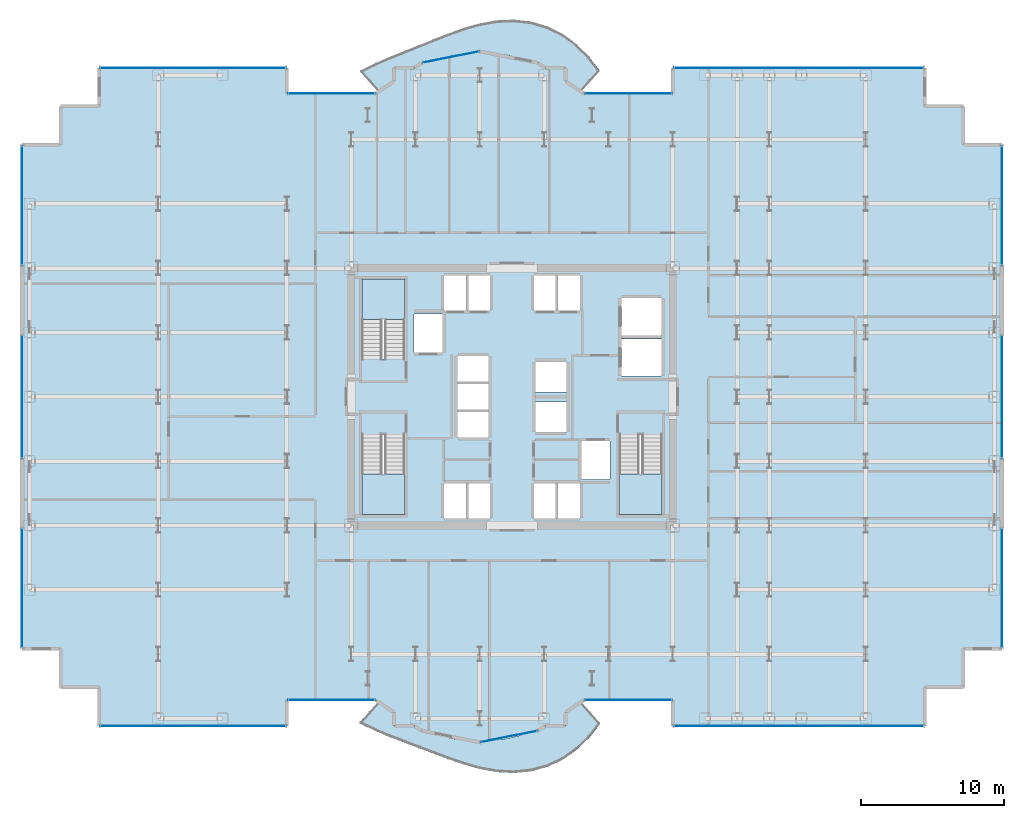
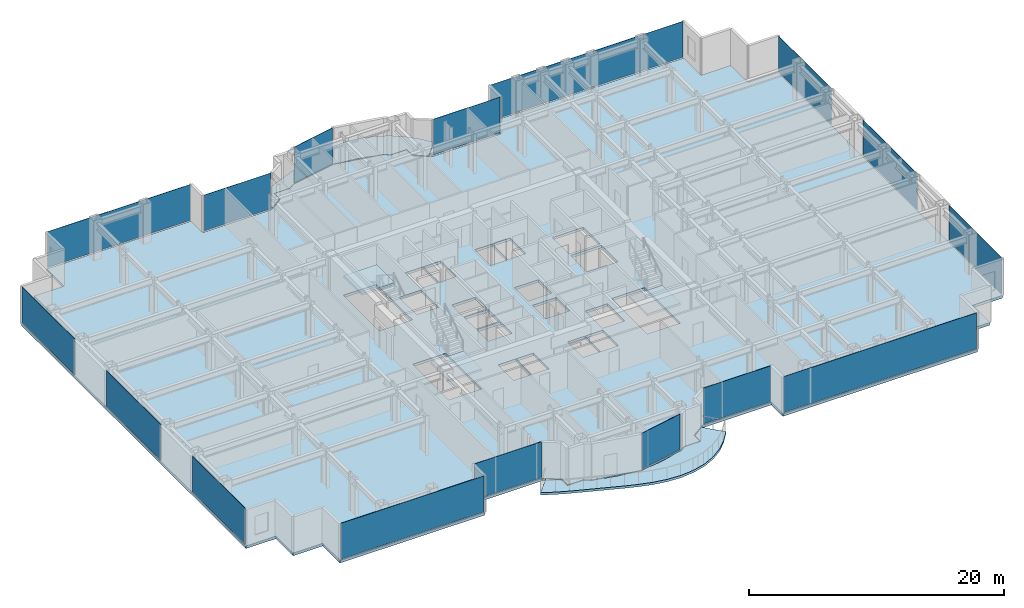
# One storey, part 20 of 29: 16 plates, 6 slabs, 19 elements without a shape of their own.
"""IFC4 building model written with IfcOpenShell, lengths in metres."""

import ifcopenshell
import ifcopenshell.guid

model = None  # the IFC model being written
_history = None  # IfcOwnerHistory: only IFC2X3 demands one
_inside = {}  # id of a spatial element -> (the spatial element, [elements in it])
_under = {}  # id of a project, library or spatial element -> (it, [spatial elements below it])
_declared = {}  # id of a project -> (the project, [libraries it declares])
_typed = {}  # id of a type object -> (the type object, [elements of that type])
_made_of = {}  # id of a material, layer set ... -> (it, [elements and type objects made of it])


def new_model(schema):
    """Start an empty IFC model of exactly this schema.

    Asked for "IFC4X3", IfcOpenShell would pick the latest addendum, in which some entities
    have other attributes; the version numbers below select the first issue.
    IFC2X3 requires an IfcOwnerHistory on every rooted entity: one is made here for all.
    """
    global model, _history
    if schema == "IFC4X3":
        model = ifcopenshell.file(schema_version=(4, 3, 0, 0))
    else:
        model = ifcopenshell.file(schema=schema)
    _inside.clear()
    _under.clear()
    _declared.clear()
    _typed.clear()
    _made_of.clear()
    _history = None
    if model.schema == "IFC2X3":
        org = make("IfcOrganization", Name="unknown")
        user = make(
            "IfcPersonAndOrganization",
            ThePerson=make("IfcPerson", FamilyName="unknown"),
            TheOrganization=org,
        )
        app = make(
            "IfcApplication",
            ApplicationDeveloper=org,
            Version="unknown",
            ApplicationFullName="unknown",
            ApplicationIdentifier="unknown",
        )
        _history = make(
            "IfcOwnerHistory",
            OwningUser=user,
            OwningApplication=app,
            ChangeAction="ADDED",
            CreationDate=0,
        )
    return model


def make(cls, **values):
    """One entity of the class cls with the attributes given. An attribute that is None is left unset."""
    return model.create_entity(
        cls, **{name: value for name, value in values.items() if value is not None}
    )


def rooted(cls, **values):
    """An entity with a GlobalId (a new one), such as an element, a storey or a relation."""
    return make(cls, GlobalId=ifcopenshell.guid.new(), OwnerHistory=_history, **values)


def si_unit(unit_type, name, prefix=None):
    """IfcSIUnit, for example si_unit("LENGTHUNIT", "METRE", prefix="MILLI")."""
    return make("IfcSIUnit", UnitType=unit_type, Prefix=prefix, Name=name)


def assignment(units):
    """IfcUnitAssignment: the units of a project."""
    return None if units is None else make("IfcUnitAssignment", Units=units)


def point(xyz):
    """IfcCartesianPoint."""
    return None if xyz is None else make("IfcCartesianPoint", Coordinates=xyz)


def direction(xyz):
    """IfcDirection."""
    return None if xyz is None else make("IfcDirection", DirectionRatios=xyz)


def frame(location, z_axis=None, x_axis=None):
    """IfcAxis2Placement3D, a coordinate frame: its origin and axes. An axis left out is left unset."""
    return make(
        "IfcAxis2Placement3D",
        Location=point(location),
        Axis=direction(z_axis),
        RefDirection=direction(x_axis),
    )


def frame_2d(location, x_axis=None):
    """IfcAxis2Placement2D, a coordinate frame in the plane: its origin and x axis."""
    return make(
        "IfcAxis2Placement2D", Location=point(location), RefDirection=direction(x_axis)
    )


def origin():
    """The frame at (0, 0, 0) with its axes left unset."""
    return frame((0.0, 0.0, 0.0))


def origin_2d():
    """The frame at (0, 0) in the plane with its x axis left unset."""
    return frame_2d((0.0, 0.0))


def place(relative_to, where):
    """IfcLocalPlacement: puts the frame where relative to a parent placement (None: the world)."""
    return make(
        "IfcLocalPlacement", PlacementRelTo=relative_to, RelativePlacement=where
    )


def context(
    kind, dimensions, precision=None, world=None, true_north=None, identifier=None
):
    """IfcGeometricRepresentationContext, for example the 3D "Model" context."""
    return make(
        "IfcGeometricRepresentationContext",
        ContextIdentifier=identifier,
        ContextType=kind,
        CoordinateSpaceDimension=dimensions,
        Precision=precision,
        WorldCoordinateSystem=world,
        TrueNorth=true_north,
    )


def subcontext(parent, identifier, kind, view, scale=None):
    """IfcGeometricRepresentationSubContext, for example "Body" below "Model"."""
    return make(
        "IfcGeometricRepresentationSubContext",
        ContextIdentifier=identifier,
        ContextType=kind,
        ParentContext=parent,
        TargetScale=scale,
        TargetView=view,
    )


def project(units=None, contexts=None):
    """IfcProject with its units and contexts."""
    return rooted(
        "IfcProject",
        Name="project",
        RepresentationContexts=contexts,
        UnitsInContext=assignment(units),
    )


def spatial(cls, under=None, at=None, **own):
    """A site, building, storey or space (cls), placed at a placement, below another one or the project."""
    s = rooted(cls, ObjectPlacement=at, **own)
    if under is not None:
        _under.setdefault(under.id(), (under, []))[1].append(s)
    return s


def polyline(points):
    """IfcPolyline through the points."""
    return make("IfcPolyline", Points=[point(p) for p in points])


def profile(cls, at=None, kind="AREA", **sizes):
    """A parametric profile (cls). Its sizes go by their IFC names, for example OverallWidth=200.0."""
    return make(cls, ProfileType=kind, Position=at, **sizes)


def rectangle(**sizes):
    """IfcRectangleProfileDef."""
    return profile("IfcRectangleProfileDef", **sizes)


def outline(outer, holes=None, kind="AREA"):
    """IfcArbitraryClosedProfileDef: a profile drawn as a closed curve; with holes, ...WithVoids."""
    if holes is None:
        return make("IfcArbitraryClosedProfileDef", ProfileType=kind, OuterCurve=outer)
    return make(
        "IfcArbitraryProfileDefWithVoids",
        ProfileType=kind,
        OuterCurve=outer,
        InnerCurves=holes,
    )


def extrude(swept, where, along, depth):
    """IfcExtrudedAreaSolid: the profile swept, set in the frame where, extruded along a direction by depth."""
    return make(
        "IfcExtrudedAreaSolid",
        SweptArea=swept,
        Position=where,
        ExtrudedDirection=direction(along),
        Depth=depth,
    )


def shape(context_of_items, identifier, shape_type, items):
    """IfcShapeRepresentation: the items that make up one representation, for example the "Body"."""
    return make(
        "IfcShapeRepresentation",
        ContextOfItems=context_of_items,
        RepresentationIdentifier=identifier,
        RepresentationType=shape_type,
        Items=items,
    )


def source(mapping_origin, context_of_items, identifier, shape_type, items):
    """IfcRepresentationMap: a shape defined once, which mapped items show again and again."""
    return make(
        "IfcRepresentationMap",
        MappingOrigin=mapping_origin,
        MappedRepresentation=shape(context_of_items, identifier, shape_type, items),
    )


def transform(
    local_origin,
    x_axis=None,
    y_axis=None,
    z_axis=None,
    scale=None,
    scale2=None,
    scale3=None,
    uniform=True,
):
    """IfcCartesianTransformationOperator3D, or its non-uniform kind. x_axis, y_axis, z_axis: its Axis1, 2, 3."""
    if uniform:
        return make(
            "IfcCartesianTransformationOperator3D",
            Axis1=direction(x_axis),
            Axis2=direction(y_axis),
            LocalOrigin=point(local_origin),
            Scale=scale,
            Axis3=direction(z_axis),
        )
    return make(
        "IfcCartesianTransformationOperator3DnonUniform",
        Axis1=direction(x_axis),
        Axis2=direction(y_axis),
        LocalOrigin=point(local_origin),
        Scale=scale,
        Axis3=direction(z_axis),
        Scale2=scale2,
        Scale3=scale3,
    )


def mapped(mapping_source, mapping_target):
    """IfcMappedItem: shows the shape of a source again, moved by a transform."""
    return make(
        "IfcMappedItem", MappingSource=mapping_source, MappingTarget=mapping_target
    )


def material(Name=None, Category=None):
    """IfcMaterial."""
    return make("IfcMaterial", Name=Name, Category=Category)


def layer(
    of_material, thickness, ventilated=None, Name=None, Category=None, Priority=None
):
    """IfcMaterialLayer: one layer of a wall or slab, of a material (None: an air gap)."""
    return make(
        "IfcMaterialLayer",
        Material=of_material,
        LayerThickness=thickness,
        IsVentilated=ventilated,
        Name=Name,
        Category=Category,
        Priority=Priority,
    )


def layer_set(layers, Name=None):
    """IfcMaterialLayerSet."""
    return make("IfcMaterialLayerSet", MaterialLayers=layers, LayerSetName=Name)


def made_of(thing, what):
    """Note that an element or type object is made of a material, layer set ...; save() writes the relation."""
    if what is not None:
        _made_of.setdefault(what.id(), (what, []))[1].append(thing)
    return thing


def type_object(cls, material=None, **own):
    """A type object (cls), such as IfcWallType, which elements share."""
    return made_of(rooted(cls, **own), material)


def element(
    cls,
    number,
    at=None,
    inside=None,
    cuts=None,
    type_object=None,
    material=None,
    context=None,
    identifier="Body",
    shape_type=None,
    held_by="IfcProductDefinitionShape",
    body=None,
    shapes=None,
    **own,
):
    """One element of the class cls, such as IfcWall. Its Tag is "e" and its number.

    at: its placement. inside: the storey or other place that contains it. cuts: it is an
    opening in that element (IfcRelVoidsElement). A single representation is given by context,
    identifier, shape_type and body (its items); several are given by shapes. held_by: the class
    of the entity that holds the representations. save() writes the other relations.
    """
    e = rooted(cls, Tag="e%d" % number, ObjectPlacement=at, **own)
    if body is not None:
        shapes = [shape(context, identifier, shape_type, body)]
    if shapes is not None:
        e.Representation = make(held_by, Representations=shapes)
    if inside is not None:
        _inside.setdefault(inside.id(), (inside, []))[1].append(e)
    if cuts is not None:
        rooted(
            "IfcRelVoidsElement", RelatingBuildingElement=cuts, RelatedOpeningElement=e
        )
    if type_object is not None:
        _typed.setdefault(type_object.id(), (type_object, []))[1].append(e)
    return made_of(e, material)


def aggregate(whole, parts):
    """IfcRelAggregates: a whole, such as a stair, and the parts it consists of."""
    return rooted("IfcRelAggregates", RelatingObject=whole, RelatedObjects=parts)


def save(model, path):
    """Write the relations noted so far, then the file.

    IfcRelAggregates (storeys below a building ...), IfcRelContainedInSpatialStructure (elements
    in a storey), IfcRelDefinesByType, IfcRelAssociatesMaterial and IfcRelDeclares: one each for
    every whole, place, type object, material and project.
    """
    for whole, parts in _under.values():
        aggregate(whole, parts)
    for where, things in _inside.values():
        rooted(
            "IfcRelContainedInSpatialStructure",
            RelatedElements=things,
            RelatingStructure=where,
        )
    for kind, things in _typed.values():
        rooted("IfcRelDefinesByType", RelatedObjects=things, RelatingType=kind)
    for what, things in _made_of.values():
        rooted("IfcRelAssociatesMaterial", RelatedObjects=things, RelatingMaterial=what)
    for by, libraries in _declared.values():
        rooted("IfcRelDeclares", RelatingContext=by, RelatedDefinitions=libraries)
    model.write(path)


model = new_model("IFC4")

# Units and contexts
model_context = context("Model", 3, precision=1e-05, world=origin(), true_north=direction((0.0, 1.0)))
body_context = subcontext(model_context, "Body", "Model", "MODEL_VIEW")
ifc_project = project(units=[si_unit("LENGTHUNIT", "METRE"), si_unit("AREAUNIT", "SQUARE_METRE"), si_unit("VOLUMEUNIT", "CUBIC_METRE"), si_unit("PLANEANGLEUNIT", "RADIAN"), si_unit("MASSUNIT", "GRAM", prefix="KILO")], contexts=[model_context])

# Site, building, storey
site_placement = place(None, origin())
site = spatial("IfcSite", under=ifc_project, at=site_placement, CompositionType="ELEMENT")
building_placement = place(site_placement, origin())
building = spatial("IfcBuilding", under=site, at=building_placement, Name="Nefas-Gora Pilgrimage Tower", CompositionType="ELEMENT")
storey_placement = place(building_placement, frame((0.0, 0.0, 136.39990234375)))
storey = spatial("IfcBuildingStorey", under=building, at=storey_placement, Name="L33", CompositionType="ELEMENT", Elevation=136.39990234375)

# Slabs
ifc_material_1 = material(Name="Concrete C40/50", Category="concrete")
ifc_layer_1 = layer(ifc_material_1, 0.219970703125)
ifc_layer_set_1 = layer_set([ifc_layer_1], Name="Concrete C40/50")
slab_type_1 = type_object("IfcSlabType", Name="SLB-BAL-P0", PredefinedType="FLOOR", material=ifc_layer_set_1)
slab_1_placement = place(storey_placement, frame((0.0, 0.0, -0.219970703125)))
element("IfcSlab", 1, at=slab_1_placement, inside=storey, type_object=slab_type_1, Name="L33 Sinusoidal Lobe Balcony Slab N (Phase 0)", PredefinedType="FLOOR", context=body_context, shape_type="SweptSolid", body=[
    extrude(outline(polyline([(-9.28759765625, 21.385986328125), (-9.224609375, 21.427978515625), (-8.538330078125, 21.9912109375), (-8.260009765625, 22.179931640625), (-8.260009765625, 23.02001953125), (-8.260009765625, 23.02099609375), (-8.259765625, 23.02197265625), (-8.259521484375, 23.02294921875), (-8.25927734375, 23.023681640625), (-8.2587890625, 23.024658203125), (-8.25830078125, 23.025634765625), (-8.2578125, 23.0263671875), (-8.257080078125, 23.027099609375), (-8.25634765625, 23.027587890625), (-8.255615234375, 23.0283203125), (-8.254638671875, 23.02880859375), (-8.25390625, 23.029296875), (-8.2529296875, 23.029541015625), (-8.251953125, 23.02978515625), (-8.2509765625, 23.030029296875), (-8.25, 23.030029296875), (-6.8271484375, 23.030029296875), (-6.31298828125, 23.37353515625), (-6.31201171875, 23.3740234375), (-6.311279296875, 23.37451171875), (-6.310302734375, 23.375), (-6.309326171875, 23.375), (-5.63037109375, 23.51025390625), (-5.102783203125, 23.685302734375), (-4.165283203125, 23.904052734375), (-3.211669921875, 24.035888671875), (-2.919921875, 24.04931640625), (-2.251953125, 24.18212890625), (-2.2509765625, 24.182373046875), (-2.25, 24.182373046875), (-2.2490234375, 24.182373046875), (-2.248046875, 24.18212890625), (-1.580078125, 24.04931640625), (-1.288330078125, 24.035888671875), (-0.334716796875, 23.904052734375), (0.602783203125, 23.685302734375), (1.13037109375, 23.51025390625), (1.809326171875, 23.375), (1.810302734375, 23.375), (1.811279296875, 23.37451171875), (1.81201171875, 23.3740234375), (1.81298828125, 23.37353515625), (2.3271484375, 23.030029296875), (3.75, 23.030029296875), (3.7509765625, 23.030029296875), (3.751953125, 23.02978515625), (3.7529296875, 23.029541015625), (3.75390625, 23.029296875), (3.754638671875, 23.02880859375), (3.755615234375, 23.0283203125), (3.75634765625, 23.027587890625), (3.757080078125, 23.027099609375), (3.7578125, 23.0263671875), (3.75830078125, 23.025634765625), (3.7587890625, 23.024658203125), (3.75927734375, 23.023681640625), (3.759521484375, 23.02294921875), (3.759765625, 23.02197265625), (3.760009765625, 23.02099609375), (3.760009765625, 23.02001953125), (3.760009765625, 22.179931640625), (4.038330078125, 21.9912109375), (4.724609375, 21.427978515625), (4.78759765625, 21.385986328125), (6.114013671875, 22.859375), (5.38720703125, 23.797607421875), (4.537109375, 24.6455078125), (3.562744140625, 25.357177734375), (2.48046875, 25.89306640625), (1.3203125, 26.2294921875), (0.120849609375, 26.3623046875), (-1.07958984375, 26.3076171875), (-2.25, 26.09912109375), (-3.3720703125, 25.78125), (-4.4423828125, 25.39990234375), (-5.471923828125, 24.993896484375), (-6.479248046875, 24.58740234375), (-7.485107421875, 24.18603515625), (-8.50439453125, 23.7763671875), (-9.539306640625, 23.331298828125), (-10.5751953125, 22.816162109375), (-9.28759765625, 21.385986328125)])), origin(), (0.0, 0.0, 1.0), 0.219970703125),
])
ifc_layer_2 = layer(ifc_material_1, 0.22509765625)
ifc_layer_set_2 = layer_set([ifc_layer_2], Name="Concrete C40/50")
slab_type_2 = type_object("IfcSlabType", Name="SLB-BAL-P4", PredefinedType="FLOOR", material=ifc_layer_set_2)
slab_2_placement = place(storey_placement, frame((0.0, 0.0, -0.224853515625)))
element("IfcSlab", 2, at=slab_2_placement, inside=storey, type_object=slab_type_2, Name="L33 Sinusoidal Lobe Balcony Slab S (Phase 4)", PredefinedType="FLOOR", context=body_context, shape_type="SweptSolid", body=[
    extrude(outline(polyline([(4.78759765625, -21.385986328125), (4.724609375, -21.427978515625), (4.038330078125, -21.9912109375), (3.760009765625, -22.179931640625), (3.760009765625, -23.02001953125), (3.760009765625, -23.02099609375), (3.759765625, -23.02197265625), (3.759521484375, -23.02294921875), (3.75927734375, -23.023681640625), (3.7587890625, -23.024658203125), (3.75830078125, -23.025634765625), (3.7578125, -23.0263671875), (3.757080078125, -23.027099609375), (3.75634765625, -23.027587890625), (3.755615234375, -23.0283203125), (3.754638671875, -23.02880859375), (3.75390625, -23.029296875), (3.7529296875, -23.029541015625), (3.751953125, -23.02978515625), (3.7509765625, -23.030029296875), (3.75, -23.030029296875), (2.3271484375, -23.030029296875), (1.81298828125, -23.37353515625), (1.81201171875, -23.3740234375), (1.811279296875, -23.37451171875), (1.810302734375, -23.375), (1.809326171875, -23.375), (1.13037109375, -23.51025390625), (0.602783203125, -23.685302734375), (-0.334716796875, -23.904052734375), (-1.288330078125, -24.035888671875), (-1.580078125, -24.04931640625), (-2.248046875, -24.18212890625), (-2.2490234375, -24.182373046875), (-2.25, -24.182373046875), (-2.2509765625, -24.182373046875), (-2.251953125, -24.18212890625), (-2.919921875, -24.04931640625), (-3.211669921875, -24.035888671875), (-4.165283203125, -23.904052734375), (-5.102783203125, -23.685302734375), (-5.63037109375, -23.51025390625), (-6.309326171875, -23.375), (-6.310302734375, -23.375), (-6.311279296875, -23.37451171875), (-6.31201171875, -23.3740234375), (-6.31298828125, -23.37353515625), (-6.8271484375, -23.030029296875), (-8.25, -23.030029296875), (-8.2509765625, -23.030029296875), (-8.251953125, -23.02978515625), (-8.2529296875, -23.029541015625), (-8.25390625, -23.029296875), (-8.254638671875, -23.02880859375), (-8.255615234375, -23.0283203125), (-8.25634765625, -23.027587890625), (-8.257080078125, -23.027099609375), (-8.2578125, -23.0263671875), (-8.25830078125, -23.025634765625), (-8.2587890625, -23.024658203125), (-8.25927734375, -23.023681640625), (-8.259521484375, -23.02294921875), (-8.259765625, -23.02197265625), (-8.260009765625, -23.02099609375), (-8.260009765625, -23.02001953125), (-8.260009765625, -22.179931640625), (-8.538330078125, -21.9912109375), (-9.224609375, -21.427978515625), (-9.28759765625, -21.385986328125), (-10.614013671875, -22.859375), (-9.57080078125, -23.373779296875), (-8.525390625, -23.810302734375), (-7.494384765625, -24.20458984375), (-6.478759765625, -24.58642578125), (-5.465576171875, -24.9716796875), (-4.43505859375, -25.359130859375), (-3.3671875, -25.7275390625), (-2.25, -26.041015625), (-1.08447265625, -26.25390625), (0.11328125, -26.321533203125), (1.314208984375, -26.20751953125), (2.47998046875, -25.89208984375), (3.572021484375, -25.375732421875), (4.55810546875, -24.6796875), (5.4189453125, -23.840087890625), (6.153076171875, -22.902587890625), (4.78759765625, -21.385986328125)])), origin(), (0.0, 0.0, 1.0), 0.224853515625),
])
ifc_layer_3 = layer(ifc_material_1, 0.25)
ifc_layer_set_3 = layer_set([ifc_layer_3], Name="Concrete C40/50")
slab_type_3 = type_object("IfcSlabType", Name="SLB-TWR-250", PredefinedType="FLOOR", material=ifc_layer_set_3)
slab_3_placement = place(storey_placement, frame((0.0, 0.0, -0.25)))
element("IfcSlab", 3, at=slab_3_placement, inside=storey, type_object=slab_type_3, Name="L33 Structural Floor Slab", PredefinedType="FLOOR", context=body_context, shape_type="SweptSolid", body=[
    extrude(outline(polyline([(5.01806640625, -21.219970703125), (11.25, -21.219970703125), (11.25, -23.02001953125), (28.8701171875, -23.02001953125), (28.8701171875, -20.320068359375), (31.570068359375, -20.320068359375), (31.570068359375, -17.6201171875), (34.27001953125, -17.6201171875), (34.27001953125, 17.6201171875), (31.570068359375, 17.6201171875), (31.570068359375, 20.320068359375), (28.8701171875, 20.320068359375), (28.8701171875, 23.02001953125), (11.25, 23.02001953125), (11.25, 21.219970703125), (5.01806640625, 21.219970703125), (3.75, 22.0673828125), (3.75, 23.02001953125), (2.32421875, 23.02001953125), (1.807373046875, 23.365234375), (-2.25, 24.17236328125), (-6.307373046875, 23.365234375), (-6.82421875, 23.02001953125), (-8.25, 23.02001953125), (-8.25, 22.0673828125), (-9.51806640625, 21.219970703125), (-15.75, 21.219970703125), (-15.75, 23.02001953125), (-28.8701171875, 23.02001953125), (-28.8701171875, 20.320068359375), (-31.570068359375, 20.320068359375), (-31.570068359375, 17.6201171875), (-34.27001953125, 17.6201171875), (-34.27001953125, -17.6201171875), (-31.570068359375, -17.6201171875), (-31.570068359375, -20.320068359375), (-28.8701171875, -20.320068359375), (-28.8701171875, -23.02001953125), (-15.75, -23.02001953125), (-15.75, -21.219970703125), (-9.51806640625, -21.219970703125), (-8.25, -22.0673828125), (-8.25, -23.02001953125), (-6.82421875, -23.02001953125), (-6.307373046875, -23.365234375), (-2.25, -24.17236328125), (1.807373046875, -23.365234375), (2.32421875, -23.02001953125), (3.75, -23.02001953125), (3.75, -22.0673828125), (5.01806640625, -21.219970703125)]), holes=[polyline([(-10.5, 2.639892578125), (-10.5, 8.25), (-7.5, 8.25), (-7.5, 2.639892578125), (-10.5, 2.639892578125)]), polyline([(10.5, -2.639892578125), (10.5, -8.25), (7.5, -8.25), (7.5, -2.639892578125), (10.5, -2.639892578125)]), polyline([(-7.5, -2.639892578125), (-7.5, -8.25), (-10.5, -8.25), (-10.5, -2.639892578125), (-7.5, -2.639892578125)]), polyline([(-6.85009765625, 5.800048828125), (-4.85009765625, 5.800048828125), (-4.85009765625, 3.10009765625), (-6.85009765625, 3.10009765625), (-6.85009765625, 5.800048828125)]), polyline([(4.85009765625, -3.10009765625), (6.85009765625, -3.10009765625), (6.85009765625, -5.800048828125), (4.85009765625, -5.800048828125), (4.85009765625, -3.10009765625)]), polyline([(7.64990234375, 4.050048828125), (10.449951171875, 4.050048828125), (10.449951171875, 1.449951171875), (7.64990234375, 1.449951171875), (7.64990234375, 4.050048828125)]), polyline([(7.64990234375, 6.89990234375), (10.449951171875, 6.89990234375), (10.449951171875, 4.300048828125), (7.64990234375, 4.300048828125), (7.64990234375, 6.89990234375)]), polyline([(-4.75, 8.5), (-3.14990234375, 8.5), (-3.14990234375, 6.050048828125), (-4.75, 6.050048828125), (-4.75, 8.5)]), polyline([(-3.10009765625, 8.5), (-1.550048828125, 8.5), (-1.550048828125, 6.050048828125), (-3.10009765625, 6.050048828125), (-3.10009765625, 8.5)]), polyline([(1.550048828125, 8.5), (3.10009765625, 8.5), (3.10009765625, 6.050048828125), (1.550048828125, 6.050048828125), (1.550048828125, 8.5)]), polyline([(3.14990234375, 8.5), (4.75, 8.5), (4.75, 6.050048828125), (3.14990234375, 6.050048828125), (3.14990234375, 8.5)]), polyline([(-4.75, -6.050048828125), (-3.14990234375, -6.050048828125), (-3.14990234375, -8.5), (-4.75, -8.5), (-4.75, -6.050048828125)]), polyline([(-3.10009765625, -6.050048828125), (-1.550048828125, -6.050048828125), (-1.550048828125, -8.5), (-3.10009765625, -8.5), (-3.10009765625, -6.050048828125)]), polyline([(1.550048828125, -6.050048828125), (3.10009765625, -6.050048828125), (3.10009765625, -8.5), (1.550048828125, -8.5), (1.550048828125, -6.050048828125)]), polyline([(3.14990234375, -6.050048828125), (4.75, -6.050048828125), (4.75, -8.5), (3.14990234375, -8.5), (3.14990234375, -6.050048828125)]), polyline([(-3.800048828125, -1.050048828125), (-1.64990234375, -1.050048828125), (-1.64990234375, -2.85009765625), (-3.800048828125, -2.85009765625), (-3.800048828125, -1.050048828125)]), polyline([(-3.800048828125, 0.89990234375), (-1.64990234375, 0.89990234375), (-1.64990234375, -0.89990234375), (-3.800048828125, -0.89990234375), (-3.800048828125, 0.89990234375)]), polyline([(-3.800048828125, 2.85009765625), (-1.64990234375, 2.85009765625), (-1.64990234375, 1.050048828125), (-3.800048828125, 1.050048828125), (-3.800048828125, 2.85009765625)]), polyline([(1.64990234375, -0.35009765625), (3.800048828125, -0.35009765625), (3.800048828125, -2.449951171875), (1.64990234375, -2.449951171875), (1.64990234375, -0.35009765625)]), polyline([(1.64990234375, 2.449951171875), (3.800048828125, 2.449951171875), (3.800048828125, 0.35009765625), (1.64990234375, 0.35009765625), (1.64990234375, 2.449951171875)])]), origin(), (0.0, 0.0, 1.0), 0.25),
])

# Stair, slab
ifc_material_2 = material(Name="Concrete C45/55", Category="concrete")
stair_type = type_object("IfcStairType", Name="STR-1400-R1727", PredefinedType="HALF_TURN_STAIR", material=ifc_material_2)
stair_1_placement = place(storey_placement, origin())
stair_1 = element("IfcStair", 4, at=stair_1_placement, inside=storey, type_object=stair_type, Name="L33 Pressurised Tower Exit Stair ST-01", PredefinedType="HALF_TURN_STAIR")
ifc_layer_4 = layer(ifc_material_1, 0.199951171875)
ifc_layer_set_4 = layer_set([ifc_layer_4], Name="Concrete C40/50")
slab_type_4 = type_object("IfcSlabType", Name="STR-LAND-200", PredefinedType="LANDING", material=ifc_layer_set_4)
slab_4_placement = place(storey_placement, frame((0.0, 0.0, 1.7001953125)))
slab_4 = element("IfcSlab", 5, at=slab_4_placement, type_object=slab_type_4, Name="ST-01 landing 1", PredefinedType="LANDING", context=body_context, shape_type="SweptSolid", body=[
    extrude(outline(polyline([(-7.5, 5.39990234375), (-7.5, 8.25), (-10.5, 8.25), (-10.5, 5.39990234375), (-7.5, 5.39990234375)])), origin(), (0.0, 0.0, 1.0), 0.199951171875),
])
aggregate(stair_1, [slab_4])

stair_2_placement = place(storey_placement, origin())
stair_2 = element("IfcStair", 6, at=stair_2_placement, inside=storey, type_object=stair_type, Name="L33 Pressurised Tower Exit Stair ST-02", PredefinedType="HALF_TURN_STAIR")
slab_5_placement = place(storey_placement, frame((0.0, 0.0, 1.7001953125)))
slab_5 = element("IfcSlab", 7, at=slab_5_placement, type_object=slab_type_4, Name="ST-02 landing 1", PredefinedType="LANDING", context=body_context, shape_type="SweptSolid", body=[
    extrude(outline(polyline([(7.5, -5.39990234375), (7.5, -8.25), (10.5, -8.25), (10.5, -5.39990234375), (7.5, -5.39990234375)])), origin(), (0.0, 0.0, 1.0), 0.199951171875),
])
aggregate(stair_2, [slab_5])

stair_3_placement = place(storey_placement, origin())
stair_3 = element("IfcStair", 8, at=stair_3_placement, inside=storey, type_object=stair_type, Name="L33 Pressurised Tower Exit Stair ST-03", PredefinedType="HALF_TURN_STAIR")
slab_6_placement = place(storey_placement, frame((0.0, 0.0, 1.7001953125)))
slab_6 = element("IfcSlab", 9, at=slab_6_placement, type_object=slab_type_4, Name="ST-03 landing 1", PredefinedType="LANDING", context=body_context, shape_type="SweptSolid", body=[
    extrude(outline(polyline([(-10.5, -5.39990234375), (-10.5, -8.25), (-7.5, -8.25), (-7.5, -5.39990234375), (-10.5, -5.39990234375)])), origin(), (0.0, 0.0, 1.0), 0.199951171875),
])
aggregate(stair_3, [slab_6])

# Curtain wall, plate
ifc_material_3 = material(Name="Dark ceramic-fritted solar-control aluminium-glass curtain wall", Category="aluminium")
ifc_layer_5 = layer(ifc_material_3, 0.219970703125)
ifc_layer_set_5 = layer_set([ifc_layer_5], Name="Dark ceramic-fritted solar-control aluminium-glass curtain wall")
curtain_wall_type_1 = type_object("IfcCurtainWallType", Name="CW-SYS-5", PredefinedType="NOTDEFINED", material=ifc_layer_set_5)
curtain_wall_1_placement = place(storey_placement, origin())
curtain_wall_1 = element("IfcCurtainWall", 10, at=curtain_wall_1_placement, inside=storey, type_object=curtain_wall_type_1, Name="L33 Unitised Curtain Wall CW5", PredefinedType="NOTDEFINED")
ifc_material_4 = material(Name="Dark ceramic-printed low-e insulated glass", Category="glass")
ifc_layer_6 = layer(ifc_material_4, 0.028076171875)
ifc_layer_set_6 = layer_set([ifc_layer_6], Name="Dark ceramic-printed low-e insulated glass")
plate_type_1 = type_object("IfcPlateType", Name="CWP-PNL-5", PredefinedType="CURTAIN_PANEL", material=ifc_layer_set_6)
shared_shape_1 = source(origin(), body_context, "Body", "SweptSolid", [
    extrude(rectangle(XDim=6.052001953125, YDim=0.028076171875, at=origin_2d()), origin(), (0.0, 0.0, 1.0), 3.43994140625),
])
plate_1_placement = place(storey_placement, frame((8.134033203125, -21.219970703125, 0.10009765625), z_axis=(0.0, 0.0, 1.0), x_axis=(1.0, 0.0, 0.0)))
plate_1 = element("IfcPlate", 11, at=plate_1_placement, type_object=plate_type_1, Name="CW5 Ceramic-Fritted Glazing Panel 1", PredefinedType="CURTAIN_PANEL", context=body_context, shape_type="MappedRepresentation", body=[
    mapped(shared_shape_1, transform((0.0, 0.0, 0.0), x_axis=(1.0, 0.0, 0.0), y_axis=(0.0, 1.0, 0.0), z_axis=(0.0, 0.0, 1.0), scale=1.0)),
])
aggregate(curtain_wall_1, [plate_1])

curtain_wall_2_placement = place(storey_placement, origin())
curtain_wall_2 = element("IfcCurtainWall", 12, at=curtain_wall_2_placement, inside=storey, type_object=curtain_wall_type_1, Name="L33 Unitised Curtain Wall CW5", PredefinedType="NOTDEFINED")
plate_2_placement = place(storey_placement, frame((8.134033203125, 21.219970703125, 0.10009765625), z_axis=(0.0, 0.0, 1.0), x_axis=(-1.0, 0.0, 0.0)))
plate_2 = element("IfcPlate", 13, at=plate_2_placement, type_object=plate_type_1, Name="CW5 Ceramic-Fritted Glazing Panel 1", PredefinedType="CURTAIN_PANEL", context=body_context, shape_type="MappedRepresentation", body=[
    mapped(shared_shape_1, transform((0.0, 0.0, 0.0), x_axis=(1.0, 0.0, 0.0), y_axis=(0.0, 1.0, 0.0), z_axis=(0.0, 0.0, 1.0), scale=1.0)),
])
aggregate(curtain_wall_2, [plate_2])

curtain_wall_3_placement = place(storey_placement, origin())
curtain_wall_3 = element("IfcCurtainWall", 14, at=curtain_wall_3_placement, inside=storey, type_object=curtain_wall_type_1, Name="L33 Unitised Curtain Wall CW5", PredefinedType="NOTDEFINED")
plate_3_placement = place(storey_placement, frame((-12.634033203125, 21.219970703125, 0.10009765625), z_axis=(0.0, 0.0, 1.0), x_axis=(-1.0, 0.0, 0.0)))
plate_3 = element("IfcPlate", 15, at=plate_3_placement, type_object=plate_type_1, Name="CW5 Ceramic-Fritted Glazing Panel 1", PredefinedType="CURTAIN_PANEL", context=body_context, shape_type="MappedRepresentation", body=[
    mapped(shared_shape_1, transform((0.0, 0.0, 0.0), x_axis=(1.0, 0.0, 0.0), y_axis=(0.0, 1.0, 0.0), z_axis=(0.0, 0.0, 1.0), scale=1.0)),
])
aggregate(curtain_wall_3, [plate_3])

curtain_wall_4_placement = place(storey_placement, origin())
curtain_wall_4 = element("IfcCurtainWall", 16, at=curtain_wall_4_placement, inside=storey, type_object=curtain_wall_type_1, Name="L33 Unitised Curtain Wall CW5", PredefinedType="NOTDEFINED")
plate_4_placement = place(storey_placement, frame((-12.634033203125, -21.219970703125, 0.10009765625), z_axis=(0.0, 0.0, 1.0), x_axis=(1.0, 0.0, 0.0)))
plate_4 = element("IfcPlate", 17, at=plate_4_placement, type_object=plate_type_1, Name="CW5 Ceramic-Fritted Glazing Panel 1", PredefinedType="CURTAIN_PANEL", context=body_context, shape_type="MappedRepresentation", body=[
    mapped(shared_shape_1, transform((0.0, 0.0, 0.0), x_axis=(1.0, 0.0, 0.0), y_axis=(0.0, 1.0, 0.0), z_axis=(0.0, 0.0, 1.0), scale=1.0)),
])
aggregate(curtain_wall_4, [plate_4])

ifc_layer_7 = layer(ifc_material_3, 0.219970703125)
ifc_layer_set_7 = layer_set([ifc_layer_7], Name="Dark ceramic-fritted solar-control aluminium-glass curtain wall")
curtain_wall_type_2 = type_object("IfcCurtainWallType", Name="CW-SYS-2", PredefinedType="NOTDEFINED", material=ifc_layer_set_7)
curtain_wall_5_placement = place(storey_placement, origin())
curtain_wall_5 = element("IfcCurtainWall", 18, at=curtain_wall_5_placement, inside=storey, type_object=curtain_wall_type_2, Name="L33 Unitised Curtain Wall CW2", PredefinedType="NOTDEFINED")
ifc_layer_8 = layer(ifc_material_4, 0.031982421875)
ifc_layer_set_8 = layer_set([ifc_layer_8], Name="Dark ceramic-printed low-e insulated glass")
plate_type_2 = type_object("IfcPlateType", Name="CWP-PNL-2", PredefinedType="CURTAIN_PANEL", material=ifc_layer_set_8)
shared_shape_2 = source(origin(), body_context, "Body", "SweptSolid", [
    extrude(rectangle(XDim=17.43994140625, YDim=0.031982421875, at=origin_2d()), origin(), (0.0, 0.0, 1.0), 3.43994140625),
])
plate_5_placement = place(storey_placement, frame((20.06005859375, -23.02001953125, 0.10009765625), z_axis=(0.0, 0.0, 1.0), x_axis=(1.0, 0.0, 0.0)))
plate_5 = element("IfcPlate", 19, at=plate_5_placement, type_object=plate_type_2, Name="CW2 Ceramic-Fritted Glazing Panel 1", PredefinedType="CURTAIN_PANEL", context=body_context, shape_type="MappedRepresentation", body=[
    mapped(shared_shape_2, transform((0.0, 0.0, 0.0), x_axis=(1.0, 0.0, 0.0), y_axis=(0.0, 1.0, 0.0), z_axis=(0.0, 0.0, 1.0), scale=1.0)),
])
aggregate(curtain_wall_5, [plate_5])

curtain_wall_6_placement = place(storey_placement, origin())
curtain_wall_6 = element("IfcCurtainWall", 20, at=curtain_wall_6_placement, inside=storey, type_object=curtain_wall_type_2, Name="L33 Unitised Curtain Wall CW2", PredefinedType="NOTDEFINED")
plate_6_placement = place(storey_placement, frame((20.06005859375, 23.02001953125, 0.10009765625), z_axis=(0.0, 0.0, 1.0), x_axis=(-1.0, 0.0, 0.0)))
plate_6 = element("IfcPlate", 21, at=plate_6_placement, type_object=plate_type_2, Name="CW2 Ceramic-Fritted Glazing Panel 1", PredefinedType="CURTAIN_PANEL", context=body_context, shape_type="MappedRepresentation", body=[
    mapped(shared_shape_2, transform((0.0, 0.0, 0.0), x_axis=(1.0, 0.0, 0.0), y_axis=(0.0, 1.0, 0.0), z_axis=(0.0, 0.0, 1.0), scale=1.0)),
])
aggregate(curtain_wall_6, [plate_6])

curtain_wall_7_placement = place(storey_placement, origin())
curtain_wall_7 = element("IfcCurtainWall", 22, at=curtain_wall_7_placement, inside=storey, type_object=curtain_wall_type_2, Name="L33 Unitised Curtain Wall CW2", PredefinedType="NOTDEFINED")
shared_shape_3 = source(origin(), body_context, "Body", "SweptSolid", [
    extrude(rectangle(XDim=8.2900390625, YDim=0.031982421875, at=origin_2d()), origin(), (0.0, 0.0, 1.0), 3.43994140625),
])
plate_7_placement = place(storey_placement, frame((34.27001953125, -13.385009765625, 0.10009765625), z_axis=(0.0, 0.0, 1.0), x_axis=(0.0, 1.0, 0.0)))
plate_7 = element("IfcPlate", 23, at=plate_7_placement, type_object=plate_type_2, Name="CW2 Ceramic-Fritted Glazing Panel 1", PredefinedType="CURTAIN_PANEL", context=body_context, shape_type="MappedRepresentation", body=[
    mapped(shared_shape_3, transform((0.0, 0.0, 0.0), x_axis=(1.0, 0.0, 0.0), y_axis=(0.0, 1.0, 0.0), z_axis=(0.0, 0.0, 1.0), scale=1.0)),
])
aggregate(curtain_wall_7, [plate_7])

curtain_wall_8_placement = place(storey_placement, origin())
curtain_wall_8 = element("IfcCurtainWall", 24, at=curtain_wall_8_placement, inside=storey, type_object=curtain_wall_type_2, Name="L33 Unitised Curtain Wall CW2", PredefinedType="NOTDEFINED")
plate_8_placement = place(storey_placement, frame((34.27001953125, 13.385009765625, 0.10009765625), z_axis=(0.0, 0.0, 1.0), x_axis=(0.0, 1.0, 0.0)))
plate_8 = element("IfcPlate", 25, at=plate_8_placement, type_object=plate_type_2, Name="CW2 Ceramic-Fritted Glazing Panel 1", PredefinedType="CURTAIN_PANEL", context=body_context, shape_type="MappedRepresentation", body=[
    mapped(shared_shape_3, transform((0.0, 0.0, 0.0), x_axis=(1.0, 0.0, 0.0), y_axis=(0.0, 1.0, 0.0), z_axis=(0.0, 0.0, 1.0), scale=1.0)),
])
aggregate(curtain_wall_8, [plate_8])

curtain_wall_9_placement = place(storey_placement, origin())
curtain_wall_9 = element("IfcCurtainWall", 26, at=curtain_wall_9_placement, inside=storey, type_object=curtain_wall_type_2, Name="L33 Unitised Curtain Wall CW2", PredefinedType="NOTDEFINED")
plate_9_placement = place(storey_placement, frame((-34.27001953125, 13.385009765625, 0.10009765625), z_axis=(0.0, 0.0, 1.0), x_axis=(0.0, -1.0, 0.0)))
plate_9 = element("IfcPlate", 27, at=plate_9_placement, type_object=plate_type_2, Name="CW2 Ceramic-Fritted Glazing Panel 1", PredefinedType="CURTAIN_PANEL", context=body_context, shape_type="MappedRepresentation", body=[
    mapped(shared_shape_3, transform((0.0, 0.0, 0.0), x_axis=(1.0, 0.0, 0.0), y_axis=(0.0, 1.0, 0.0), z_axis=(0.0, 0.0, 1.0), scale=1.0)),
])
aggregate(curtain_wall_9, [plate_9])

curtain_wall_10_placement = place(storey_placement, origin())
curtain_wall_10 = element("IfcCurtainWall", 28, at=curtain_wall_10_placement, inside=storey, type_object=curtain_wall_type_2, Name="L33 Unitised Curtain Wall CW2", PredefinedType="NOTDEFINED")
plate_10_placement = place(storey_placement, frame((-34.27001953125, -13.385009765625, 0.10009765625), z_axis=(0.0, 0.0, 1.0), x_axis=(0.0, -1.0, 0.0)))
plate_10 = element("IfcPlate", 29, at=plate_10_placement, type_object=plate_type_2, Name="CW2 Ceramic-Fritted Glazing Panel 1", PredefinedType="CURTAIN_PANEL", context=body_context, shape_type="MappedRepresentation", body=[
    mapped(shared_shape_3, transform((0.0, 0.0, 0.0), x_axis=(1.0, 0.0, 0.0), y_axis=(0.0, 1.0, 0.0), z_axis=(0.0, 0.0, 1.0), scale=1.0)),
])
aggregate(curtain_wall_10, [plate_10])

curtain_wall_11_placement = place(storey_placement, origin())
curtain_wall_11 = element("IfcCurtainWall", 30, at=curtain_wall_11_placement, inside=storey, type_object=curtain_wall_type_2, Name="L33 Unitised Curtain Wall CW2", PredefinedType="NOTDEFINED")
shared_shape_4 = source(origin(), body_context, "Body", "SweptSolid", [
    extrude(rectangle(XDim=8.52001953125, YDim=0.031982421875, at=origin_2d()), origin(), (0.0, 0.0, 1.0), 3.43994140625),
])
plate_11_placement = place(storey_placement, frame((34.27001953125, 0.0, 0.10009765625), z_axis=(0.0, 0.0, 1.0), x_axis=(0.0, 1.0, 0.0)))
plate_11 = element("IfcPlate", 31, at=plate_11_placement, type_object=plate_type_2, Name="CW2 Ceramic-Fritted Glazing Panel 1", PredefinedType="CURTAIN_PANEL", context=body_context, shape_type="MappedRepresentation", body=[
    mapped(shared_shape_4, transform((0.0, 0.0, 0.0), x_axis=(1.0, 0.0, 0.0), y_axis=(0.0, 1.0, 0.0), z_axis=(0.0, 0.0, 1.0), scale=1.0)),
])
aggregate(curtain_wall_11, [plate_11])

curtain_wall_12_placement = place(storey_placement, origin())
curtain_wall_12 = element("IfcCurtainWall", 32, at=curtain_wall_12_placement, inside=storey, type_object=curtain_wall_type_2, Name="L33 Unitised Curtain Wall CW2", PredefinedType="NOTDEFINED")
plate_12_placement = place(storey_placement, frame((-34.27001953125, 0.0, 0.10009765625), z_axis=(0.0, 0.0, 1.0), x_axis=(0.0, -1.0, 0.0)))
plate_12 = element("IfcPlate", 33, at=plate_12_placement, type_object=plate_type_2, Name="CW2 Ceramic-Fritted Glazing Panel 1", PredefinedType="CURTAIN_PANEL", context=body_context, shape_type="MappedRepresentation", body=[
    mapped(shared_shape_4, transform((0.0, 0.0, 0.0), x_axis=(1.0, 0.0, 0.0), y_axis=(0.0, 1.0, 0.0), z_axis=(0.0, 0.0, 1.0), scale=1.0)),
])
aggregate(curtain_wall_12, [plate_12])

curtain_wall_13_placement = place(storey_placement, origin())
curtain_wall_13 = element("IfcCurtainWall", 34, at=curtain_wall_13_placement, inside=storey, type_object=curtain_wall_type_1, Name="L33 Unitised Curtain Wall CW5", PredefinedType="NOTDEFINED")
shared_shape_5 = source(origin(), body_context, "Body", "SweptSolid", [
    extrude(rectangle(XDim=3.956787109375, YDim=0.028076171875, at=origin_2d()), origin(), (0.0, 0.0, 1.0), 3.43994140625),
])
plate_13_placement = place(storey_placement, frame((-4.278564453125, 23.768798828125, 0.10009765625), z_axis=(0.0, 0.0, 1.0), x_axis=(-0.980782896852, -0.195102304554, 0.0)))
plate_13 = element("IfcPlate", 35, at=plate_13_placement, type_object=plate_type_1, Name="CW5 Ceramic-Fritted Glazing Panel 1", PredefinedType="CURTAIN_PANEL", context=body_context, shape_type="MappedRepresentation", body=[
    mapped(shared_shape_5, transform((0.0, 0.0, 0.0), x_axis=(1.0, 0.0, 0.0), y_axis=(0.0, 1.0, 0.0), z_axis=(0.0, 0.0, 1.0), scale=1.0)),
])
aggregate(curtain_wall_13, [plate_13])

curtain_wall_14_placement = place(storey_placement, origin())
curtain_wall_14 = element("IfcCurtainWall", 36, at=curtain_wall_14_placement, inside=storey, type_object=curtain_wall_type_1, Name="L33 Unitised Curtain Wall CW5", PredefinedType="NOTDEFINED")
plate_14_placement = place(storey_placement, frame((-0.221435546875, -23.768798828125, 0.10009765625), z_axis=(0.0, 0.0, 1.0), x_axis=(0.980782896852, 0.195102304554, 0.0)))
plate_14 = element("IfcPlate", 37, at=plate_14_placement, type_object=plate_type_1, Name="CW5 Ceramic-Fritted Glazing Panel 1", PredefinedType="CURTAIN_PANEL", context=body_context, shape_type="MappedRepresentation", body=[
    mapped(shared_shape_5, transform((0.0, 0.0, 0.0), x_axis=(1.0, 0.0, 0.0), y_axis=(0.0, 1.0, 0.0), z_axis=(0.0, 0.0, 1.0), scale=1.0)),
])
aggregate(curtain_wall_14, [plate_14])

curtain_wall_15_placement = place(storey_placement, origin())
curtain_wall_15 = element("IfcCurtainWall", 38, at=curtain_wall_15_placement, inside=storey, type_object=curtain_wall_type_2, Name="L33 Unitised Curtain Wall CW2", PredefinedType="NOTDEFINED")
shared_shape_6 = source(origin(), body_context, "Body", "SweptSolid", [
    extrude(rectangle(XDim=12.93994140625, YDim=0.031982421875, at=origin_2d()), origin(), (0.0, 0.0, 1.0), 3.43994140625),
])
plate_15_placement = place(storey_placement, frame((-22.31005859375, 23.02001953125, 0.10009765625), z_axis=(0.0, 0.0, 1.0), x_axis=(-1.0, 0.0, 0.0)))
plate_15 = element("IfcPlate", 39, at=plate_15_placement, type_object=plate_type_2, Name="CW2 Ceramic-Fritted Glazing Panel 1", PredefinedType="CURTAIN_PANEL", context=body_context, shape_type="MappedRepresentation", body=[
    mapped(shared_shape_6, transform((0.0, 0.0, 0.0), x_axis=(1.0, 0.0, 0.0), y_axis=(0.0, 1.0, 0.0), z_axis=(0.0, 0.0, 1.0), scale=1.0)),
])
aggregate(curtain_wall_15, [plate_15])

curtain_wall_16_placement = place(storey_placement, origin())
curtain_wall_16 = element("IfcCurtainWall", 40, at=curtain_wall_16_placement, inside=storey, type_object=curtain_wall_type_2, Name="L33 Unitised Curtain Wall CW2", PredefinedType="NOTDEFINED")
plate_16_placement = place(storey_placement, frame((-22.31005859375, -23.02001953125, 0.10009765625), z_axis=(0.0, 0.0, 1.0), x_axis=(1.0, 0.0, 0.0)))
plate_16 = element("IfcPlate", 41, at=plate_16_placement, type_object=plate_type_2, Name="CW2 Ceramic-Fritted Glazing Panel 1", PredefinedType="CURTAIN_PANEL", context=body_context, shape_type="MappedRepresentation", body=[
    mapped(shared_shape_6, transform((0.0, 0.0, 0.0), x_axis=(1.0, 0.0, 0.0), y_axis=(0.0, 1.0, 0.0), z_axis=(0.0, 0.0, 1.0), scale=1.0)),
])
aggregate(curtain_wall_16, [plate_16])

save(model, "model.ifc")
